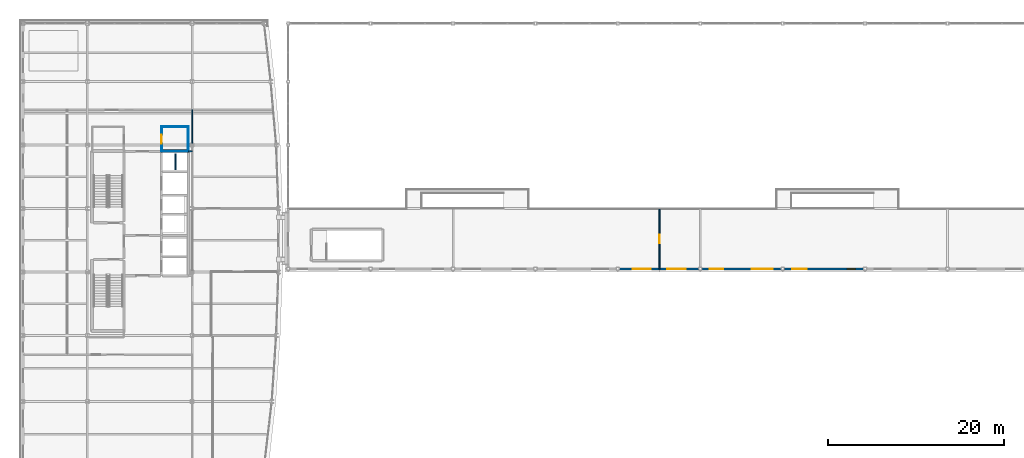
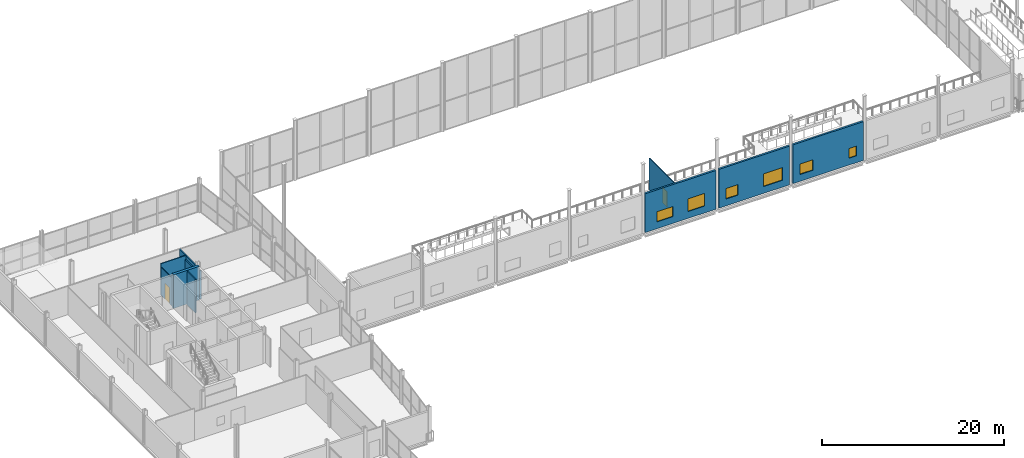
# One storey, part 67 of 77: 11 walls, 6 windows, 2 doors, 8 openings.
"""IFC4 building model written with IfcOpenShell, lengths in metres."""

import ifcopenshell
import ifcopenshell.guid

model = None  # the IFC model being written
_history = None  # IfcOwnerHistory: only IFC2X3 demands one
_inside = {}  # id of a spatial element -> (the spatial element, [elements in it])
_under = {}  # id of a project, library or spatial element -> (it, [spatial elements below it])
_declared = {}  # id of a project -> (the project, [libraries it declares])
_typed = {}  # id of a type object -> (the type object, [elements of that type])
_made_of = {}  # id of a material, layer set ... -> (it, [elements and type objects made of it])


def new_model(schema):
    """Start an empty IFC model of exactly this schema.

    Asked for "IFC4X3", IfcOpenShell would pick the latest addendum, in which some entities
    have other attributes; the version numbers below select the first issue.
    IFC2X3 requires an IfcOwnerHistory on every rooted entity: one is made here for all.
    """
    global model, _history
    if schema == "IFC4X3":
        model = ifcopenshell.file(schema_version=(4, 3, 0, 0))
    else:
        model = ifcopenshell.file(schema=schema)
    _inside.clear()
    _under.clear()
    _declared.clear()
    _typed.clear()
    _made_of.clear()
    _history = None
    if model.schema == "IFC2X3":
        org = make("IfcOrganization", Name="unknown")
        user = make(
            "IfcPersonAndOrganization",
            ThePerson=make("IfcPerson", FamilyName="unknown"),
            TheOrganization=org,
        )
        app = make(
            "IfcApplication",
            ApplicationDeveloper=org,
            Version="unknown",
            ApplicationFullName="unknown",
            ApplicationIdentifier="unknown",
        )
        _history = make(
            "IfcOwnerHistory",
            OwningUser=user,
            OwningApplication=app,
            ChangeAction="ADDED",
            CreationDate=0,
        )
    return model


def make(cls, **values):
    """One entity of the class cls with the attributes given. An attribute that is None is left unset."""
    return model.create_entity(
        cls, **{name: value for name, value in values.items() if value is not None}
    )


def rooted(cls, **values):
    """An entity with a GlobalId (a new one), such as an element, a storey or a relation."""
    return make(cls, GlobalId=ifcopenshell.guid.new(), OwnerHistory=_history, **values)


def si_unit(unit_type, name, prefix=None):
    """IfcSIUnit, for example si_unit("LENGTHUNIT", "METRE", prefix="MILLI")."""
    return make("IfcSIUnit", UnitType=unit_type, Prefix=prefix, Name=name)


def assignment(units):
    """IfcUnitAssignment: the units of a project."""
    return None if units is None else make("IfcUnitAssignment", Units=units)


def point(xyz):
    """IfcCartesianPoint."""
    return None if xyz is None else make("IfcCartesianPoint", Coordinates=xyz)


def direction(xyz):
    """IfcDirection."""
    return None if xyz is None else make("IfcDirection", DirectionRatios=xyz)


def frame(location, z_axis=None, x_axis=None):
    """IfcAxis2Placement3D, a coordinate frame: its origin and axes. An axis left out is left unset."""
    return make(
        "IfcAxis2Placement3D",
        Location=point(location),
        Axis=direction(z_axis),
        RefDirection=direction(x_axis),
    )


def frame_2d(location, x_axis=None):
    """IfcAxis2Placement2D, a coordinate frame in the plane: its origin and x axis."""
    return make(
        "IfcAxis2Placement2D", Location=point(location), RefDirection=direction(x_axis)
    )


def origin():
    """The frame at (0, 0, 0) with its axes left unset."""
    return frame((0.0, 0.0, 0.0))


def place(relative_to, where):
    """IfcLocalPlacement: puts the frame where relative to a parent placement (None: the world)."""
    return make(
        "IfcLocalPlacement", PlacementRelTo=relative_to, RelativePlacement=where
    )


def context(
    kind, dimensions, precision=None, world=None, true_north=None, identifier=None
):
    """IfcGeometricRepresentationContext, for example the 3D "Model" context."""
    return make(
        "IfcGeometricRepresentationContext",
        ContextIdentifier=identifier,
        ContextType=kind,
        CoordinateSpaceDimension=dimensions,
        Precision=precision,
        WorldCoordinateSystem=world,
        TrueNorth=true_north,
    )


def subcontext(parent, identifier, kind, view, scale=None):
    """IfcGeometricRepresentationSubContext, for example "Body" below "Model"."""
    return make(
        "IfcGeometricRepresentationSubContext",
        ContextIdentifier=identifier,
        ContextType=kind,
        ParentContext=parent,
        TargetScale=scale,
        TargetView=view,
    )


def project(units=None, contexts=None):
    """IfcProject with its units and contexts."""
    return rooted(
        "IfcProject",
        Name="project",
        RepresentationContexts=contexts,
        UnitsInContext=assignment(units),
    )


def spatial(cls, under=None, at=None, **own):
    """A site, building, storey or space (cls), placed at a placement, below another one or the project."""
    s = rooted(cls, ObjectPlacement=at, **own)
    if under is not None:
        _under.setdefault(under.id(), (under, []))[1].append(s)
    return s


def profile(cls, at=None, kind="AREA", **sizes):
    """A parametric profile (cls). Its sizes go by their IFC names, for example OverallWidth=200.0."""
    return make(cls, ProfileType=kind, Position=at, **sizes)


def rectangle(**sizes):
    """IfcRectangleProfileDef."""
    return profile("IfcRectangleProfileDef", **sizes)


def extrude(swept, where, along, depth):
    """IfcExtrudedAreaSolid: the profile swept, set in the frame where, extruded along a direction by depth."""
    return make(
        "IfcExtrudedAreaSolid",
        SweptArea=swept,
        Position=where,
        ExtrudedDirection=direction(along),
        Depth=depth,
    )


def shape(context_of_items, identifier, shape_type, items):
    """IfcShapeRepresentation: the items that make up one representation, for example the "Body"."""
    return make(
        "IfcShapeRepresentation",
        ContextOfItems=context_of_items,
        RepresentationIdentifier=identifier,
        RepresentationType=shape_type,
        Items=items,
    )


def material(Name=None, Category=None):
    """IfcMaterial."""
    return make("IfcMaterial", Name=Name, Category=Category)


def layer(
    of_material, thickness, ventilated=None, Name=None, Category=None, Priority=None
):
    """IfcMaterialLayer: one layer of a wall or slab, of a material (None: an air gap)."""
    return make(
        "IfcMaterialLayer",
        Material=of_material,
        LayerThickness=thickness,
        IsVentilated=ventilated,
        Name=Name,
        Category=Category,
        Priority=Priority,
    )


def layer_set(layers, Name=None):
    """IfcMaterialLayerSet."""
    return make("IfcMaterialLayerSet", MaterialLayers=layers, LayerSetName=Name)


def made_of(thing, what):
    """Note that an element or type object is made of a material, layer set ...; save() writes the relation."""
    if what is not None:
        _made_of.setdefault(what.id(), (what, []))[1].append(thing)
    return thing


def type_object(cls, material=None, **own):
    """A type object (cls), such as IfcWallType, which elements share."""
    return made_of(rooted(cls, **own), material)


def element(
    cls,
    number,
    at=None,
    inside=None,
    cuts=None,
    type_object=None,
    material=None,
    context=None,
    identifier="Body",
    shape_type=None,
    held_by="IfcProductDefinitionShape",
    body=None,
    shapes=None,
    **own,
):
    """One element of the class cls, such as IfcWall. Its Tag is "e" and its number.

    at: its placement. inside: the storey or other place that contains it. cuts: it is an
    opening in that element (IfcRelVoidsElement). A single representation is given by context,
    identifier, shape_type and body (its items); several are given by shapes. held_by: the class
    of the entity that holds the representations. save() writes the other relations.
    """
    e = rooted(cls, Tag="e%d" % number, ObjectPlacement=at, **own)
    if body is not None:
        shapes = [shape(context, identifier, shape_type, body)]
    if shapes is not None:
        e.Representation = make(held_by, Representations=shapes)
    if inside is not None:
        _inside.setdefault(inside.id(), (inside, []))[1].append(e)
    if cuts is not None:
        rooted(
            "IfcRelVoidsElement", RelatingBuildingElement=cuts, RelatedOpeningElement=e
        )
    if type_object is not None:
        _typed.setdefault(type_object.id(), (type_object, []))[1].append(e)
    return made_of(e, material)


def fill(opening, filler):
    """IfcRelFillsElement: the door or window that sits in an opening."""
    return rooted(
        "IfcRelFillsElement",
        RelatingOpeningElement=opening,
        RelatedBuildingElement=filler,
    )


def aggregate(whole, parts):
    """IfcRelAggregates: a whole, such as a stair, and the parts it consists of."""
    return rooted("IfcRelAggregates", RelatingObject=whole, RelatedObjects=parts)


def save(model, path):
    """Write the relations noted so far, then the file.

    IfcRelAggregates (storeys below a building ...), IfcRelContainedInSpatialStructure (elements
    in a storey), IfcRelDefinesByType, IfcRelAssociatesMaterial and IfcRelDeclares: one each for
    every whole, place, type object, material and project.
    """
    for whole, parts in _under.values():
        aggregate(whole, parts)
    for where, things in _inside.values():
        rooted(
            "IfcRelContainedInSpatialStructure",
            RelatedElements=things,
            RelatingStructure=where,
        )
    for kind, things in _typed.values():
        rooted("IfcRelDefinesByType", RelatedObjects=things, RelatingType=kind)
    for what, things in _made_of.values():
        rooted("IfcRelAssociatesMaterial", RelatedObjects=things, RelatingMaterial=what)
    for by, libraries in _declared.values():
        rooted("IfcRelDeclares", RelatingContext=by, RelatedDefinitions=libraries)
    model.write(path)


model = new_model("IFC4")

# Units and contexts
model_context = context("Model", 3, precision=1e-05, world=origin(), true_north=direction((0.0, 1.0)))
body_context = subcontext(model_context, "Body", "Model", "MODEL_VIEW")
ifc_project = project(units=[si_unit("LENGTHUNIT", "METRE"), si_unit("AREAUNIT", "SQUARE_METRE"), si_unit("VOLUMEUNIT", "CUBIC_METRE"), si_unit("PLANEANGLEUNIT", "RADIAN"), si_unit("MASSUNIT", "GRAM", prefix="KILO")], contexts=[model_context])

# Site, building, storey
site_placement = place(None, origin())
site = spatial("IfcSite", under=ifc_project, at=site_placement, CompositionType="ELEMENT")
building_placement = place(site_placement, origin())
building = spatial("IfcBuilding", under=site, at=building_placement, Name="Quillay Park Conservatory", CompositionType="ELEMENT")
storey_placement = place(building_placement, frame((0.0, 0.0, 5.39990234375)))
storey = spatial("IfcBuildingStorey", under=building, at=storey_placement, Name="L01", CompositionType="ELEMENT", Elevation=5.39990234375)

# Wall, opening, door
ifc_material_1 = material(Name="Steel-Stud Acoustic Gypsum Board Partition", Category="steel")
ifc_layer_1 = layer(ifc_material_1, 0.10009765625)
ifc_layer_set_1 = layer_set([ifc_layer_1], Name="ACOUSTIC GYPSUM PARTITION 100 (Steel-Stud Acoustic Gypsum Board Partition)")
wall_type_1 = type_object("IfcWallType", Name="ACOUSTIC GYPSUM PARTITION 100", PredefinedType="PARTITIONING", material=ifc_layer_set_1)
wall_1_placement = place(storey_placement, frame((16.280029296875, 98.919921875, 0.0), z_axis=(0.0, 0.0, 1.0), x_axis=(0.0, 1.0, 0.0)))
wall_1 = element("IfcWall", 1, at=wall_1_placement, inside=storey, type_object=wall_type_1, Name="L01 Washroom Door Wall", PredefinedType="PARTITIONING", context=body_context, shape_type="SweptSolid", body=[
    extrude(rectangle(XDim=2.68017578125, YDim=0.10009765625, at=frame_2d((1.340087890625, 0.0))), origin(), (0.0, 0.0, 1.0), 3.72119140625),
])
opening_1_placement = place(wall_1_placement, frame((0.840087890625, 0.0, 0.0)))
opening_1 = element("IfcOpeningElement", 2, at=opening_1_placement, cuts=wall_1, Name="Opening D-RM09", PredefinedType="OPENING", context=body_context, shape_type="SweptSolid", body=[
    extrude(rectangle(XDim=1.0, YDim=2.14990234375, at=frame_2d((0.5, 1.074951171875))), frame((0.0, 0.050048828125, 0.0), z_axis=(0.0, -1.0, 0.0), x_axis=(1.0, 0.0, 0.0)), (0.0, 0.0, 1.0), 0.10009765625),
])
ifc_material_2 = material(Name="Thermally Broken Anodised Aluminium 6063-T6", Category="aluminium")
door_type_1 = type_object("IfcDoorType", Name="SINGLE SWING DOOR 1000 X2150", OperationType="NOTDEFINED", PredefinedType="DOOR", material=ifc_material_2)
door_1_placement = place(opening_1_placement, origin())
door_1 = element("IfcDoor", 3, at=door_1_placement, inside=storey, type_object=door_type_1, Name="L01 Door to L01 Restroom and Washroom", OperationType="SINGLE_SWING_RIGHT", OverallHeight=2.14990234375, OverallWidth=1.0, PredefinedType="DOOR", context=body_context, shape_type="SweptSolid", body=[
    extrude(rectangle(XDim=1.0, YDim=2.14990234375, at=frame_2d((0.5, 1.074951171875))), frame((0.0, 0.02490234375, 0.0), z_axis=(0.0, -1.0, 0.0), x_axis=(1.0, 0.0, 0.0)), (0.0, 0.0, 1.0), 0.050048828125),
])
fill(opening_1, door_1)

# Walls
ifc_material_3 = material(Name="Steel-Stud Acoustic Gypsum Board Partition", Category="steel")
ifc_layer_2 = layer(ifc_material_3, 0.10498046875)
ifc_layer_set_2 = layer_set([ifc_layer_2], Name="ACOUSTIC GYPSUM PARTITION 105 (Steel-Stud Acoustic Gypsum Board Partition)")
wall_type_2 = type_object("IfcWallType", Name="ACOUSTIC GYPSUM PARTITION 105", PredefinedType="PARTITIONING", material=ifc_layer_set_2)
wall_2_placement = place(storey_placement, frame((19.3798828125, 101.659912109375, 0.0), z_axis=(0.0, 0.0, 1.0), x_axis=(-1.0, 0.0, 0.0)))
element("IfcWall", 4, at=wall_2_placement, inside=storey, type_object=wall_type_2, Name="L01 Washroom North Wall", PredefinedType="PARTITIONING", context=body_context, shape_type="SweptSolid", body=[
    extrude(rectangle(XDim=3.159912109375, YDim=0.10498046875, at=frame_2d((1.580078125, 0.0))), origin(), (0.0, 0.0, 1.0), 4.25),
])
ifc_material_4 = material(Name="Steel-Stud Acoustic Gypsum Board Partition", Category="steel")
ifc_layer_3 = layer(ifc_material_4, 0.110107421875)
ifc_layer_set_3 = layer_set([ifc_layer_3], Name="ACOUSTIC GYPSUM PARTITION 110 (Steel-Stud Acoustic Gypsum Board Partition)")
wall_type_3 = type_object("IfcWallType", Name="ACOUSTIC GYPSUM PARTITION 110", PredefinedType="PARTITIONING", material=ifc_layer_set_3)
wall_3_placement = place(storey_placement, frame((19.320068359375, 98.919921875, 0.0), z_axis=(0.0, 0.0, 1.0), x_axis=(0.0, 1.0, 0.0)))
element("IfcWall", 5, at=wall_3_placement, inside=storey, type_object=wall_type_3, Name="L01 Washroom East Wall", PredefinedType="PARTITIONING", context=body_context, shape_type="SweptSolid", body=[
    extrude(rectangle(XDim=2.739990234375, YDim=0.110107421875, at=frame_2d((1.3701171875, 0.0))), origin(), (0.0, 0.0, 1.0), 3.72119140625),
])

# Wall, opening, door
ifc_material_5 = material(Name="Steel-Stud Acoustic Gypsum Board Partition", Category="steel")
ifc_layer_4 = layer(ifc_material_5, 0.1201171875)
ifc_layer_set_4 = layer_set([ifc_layer_4], Name="ACOUSTIC GYPSUM PARTITION 120 (Steel-Stud Acoustic Gypsum Board Partition)")
wall_type_4 = type_object("IfcWallType", Name="ACOUSTIC GYPSUM PARTITION 120", PredefinedType="PARTITIONING", material=ifc_layer_set_4)
wall_4_placement = place(storey_placement, frame((72.800048828125, 85.550048828125, 0.0), z_axis=(0.0, 0.0, 1.0), x_axis=(0.0, 1.0, 0.0)))
wall_4 = element("IfcWall", 6, at=wall_4_placement, inside=storey, type_object=wall_type_4, Name="L01 Canopy Walk Zone Divider", PredefinedType="PARTITIONING", context=body_context, shape_type="SweptSolid", body=[
    extrude(rectangle(XDim=6.75, YDim=0.1201171875, at=frame_2d((3.375, 0.0))), origin(), (0.0, 0.0, 1.0), 4.25),
])
opening_2_placement = place(wall_4_placement, frame((2.925048828125, 0.0, 0.0)))
opening_2 = element("IfcOpeningElement", 7, at=opening_2_placement, cuts=wall_4, Name="Opening D-RM02", PredefinedType="OPENING", context=body_context, shape_type="SweptSolid", body=[
    extrude(rectangle(XDim=0.949951171875, YDim=2.10009765625, at=frame_2d((0.47509765625, 1.050048828125))), frame((0.0, 0.06005859375, 0.0), z_axis=(0.0, -1.0, 0.0), x_axis=(1.0, 0.0, 0.0)), (0.0, 0.0, 1.0), 0.1201171875),
])
ifc_material_6 = material(Name="Thermally Broken Anodised Aluminium 6063-T6", Category="aluminium")
door_type_2 = type_object("IfcDoorType", Name="SINGLE SWING DOOR 950 X2100", OperationType="NOTDEFINED", PredefinedType="DOOR", material=ifc_material_6)
door_2_placement = place(opening_2_placement, origin())
door_2 = element("IfcDoor", 8, at=door_2_placement, inside=storey, type_object=door_type_2, Name="L01 Door to Elevated Andean Canopy Conservatory Gallery", OperationType="SINGLE_SWING_RIGHT", OverallHeight=2.10009765625, OverallWidth=0.949951171875, PredefinedType="DOOR", context=body_context, shape_type="SweptSolid", body=[
    extrude(rectangle(XDim=0.949951171875, YDim=2.10009765625, at=frame_2d((0.47509765625, 1.050048828125))), frame((0.0, 0.02490234375, 0.0), z_axis=(0.0, -1.0, 0.0), x_axis=(1.0, 0.0, 0.0)), (0.0, 0.0, 1.0), 0.050048828125),
])
fill(opening_2, door_2)

# Walls
ifc_material_7 = material(Name="Steel-Stud Acoustic Gypsum Board Partition", Category="steel")
ifc_layer_5 = layer(ifc_material_7, 0.125)
ifc_layer_set_5 = layer_set([ifc_layer_5], Name="ACOUSTIC GYPSUM PARTITION 125 (Steel-Stud Acoustic Gypsum Board Partition)")
wall_type_5 = type_object("IfcWallType", Name="ACOUSTIC GYPSUM PARTITION 125", PredefinedType="PARTITIONING", material=ifc_layer_set_5)
wall_5_placement = place(storey_placement, frame((19.75, 103.60009765625, 0.0), z_axis=(0.0, 0.0, 1.0), x_axis=(0.0, -1.0, 0.0)))
element("IfcWall", 9, at=wall_5_placement, inside=storey, type_object=wall_type_5, Name="L01 Mycorrhizal Culture Research Laboratory West Wall N", PredefinedType="PARTITIONING", context=body_context, shape_type="SweptSolid", body=[
    extrude(rectangle(XDim=3.8056640625, YDim=0.125, at=frame_2d((1.90283203125, 0.0))), origin(), (0.0, 0.0, 1.0), 3.797119140625),
])
ifc_material_8 = material(Name="Steel-Stud Acoustic Gypsum Board Partition", Category="steel")
ifc_layer_6 = layer(ifc_material_8, 0.14990234375)
ifc_layer_set_6 = layer_set([ifc_layer_6], Name="ACOUSTIC GYPSUM PARTITION 150 (Steel-Stud Acoustic Gypsum Board Partition)")
wall_type_6 = type_object("IfcWallType", Name="ACOUSTIC GYPSUM PARTITION 150", PredefinedType="PARTITIONING", material=ifc_layer_set_6)
wall_6_placement = place(storey_placement, frame((19.75, 98.89990234375, 0.0), z_axis=(0.0, 0.0, 1.0), x_axis=(-1.0, 0.0, 0.0)))
element("IfcWall", 10, at=wall_6_placement, inside=storey, type_object=wall_type_6, Name="L01 Core North-East Closure", PredefinedType="PARTITIONING", context=body_context, shape_type="SweptSolid", body=[
    extrude(rectangle(XDim=0.429931640625, YDim=0.14990234375, at=frame_2d((0.21484375, 0.0))), origin(), (0.0, 0.0, 1.0), 3.797119140625),
])
ifc_material_9 = material(Name="Concrete C40/50 (NCh170 Concrete C40/50)", Category="concrete")
ifc_layer_7 = layer(ifc_material_9, 0.35009765625)
ifc_layer_set_7 = layer_set([ifc_layer_7], Name="CORE SHEAR WALL 350 (Concrete C40/50 (NCh170 Concrete C40/50))")
wall_type_7 = type_object("IfcWallType", Name="CORE SHEAR WALL 350", PredefinedType="SHEAR", material=ifc_layer_set_7)
wall_7_placement = place(storey_placement, frame((16.14990234375, 98.925048828125, 0.0), z_axis=(0.0, 0.0, 1.0), x_axis=(1.0, 0.0, 0.0)))
element("IfcWall", 11, at=wall_7_placement, inside=storey, type_object=wall_type_7, Name="L01 Core Shear Wall WL-TCN-E-L01", PredefinedType="SHEAR", context=body_context, shape_type="SweptSolid", body=[
    extrude(rectangle(XDim=3.300048828125, YDim=0.35009765625, at=frame_2d((1.64990234375, 0.0))), origin(), (0.0, 0.0, 1.0), 4.5),
])

# Wall, openings, windows
ifc_material_10 = material(Name="Glass-Fibre Reinforced Concrete (GRC) Cladding", Category="concrete")
ifc_layer_8 = layer(ifc_material_10, 0.239990234375)
ifc_layer_set_8 = layer_set([ifc_layer_8], Name="EXTERIOR SOLID WALL 240 (Glass-Fibre Reinforced Concrete (GRC) Cladding)")
wall_type_8 = type_object("IfcWallType", Name="EXTERIOR SOLID WALL 240", PredefinedType="SOLIDWALL", material=ifc_layer_set_8)
wall_8_placement = place(storey_placement, frame((77.2265625, 85.550048828125, 0.0), z_axis=(0.0, 0.0, 1.0), x_axis=(-1.0, 0.0, 0.0)))
wall_8 = element("IfcWall", 12, at=wall_8_placement, inside=storey, type_object=wall_type_8, Name="L01 External Wall WL-EXT-V1S-L01-4", PredefinedType="SOLIDWALL", context=body_context, shape_type="SweptSolid", body=[
    extrude(rectangle(XDim=8.953125, YDim=0.239990234375, at=frame_2d((4.4765625, 0.0))), origin(), (0.0, 0.0, 1.0), 5.2001953125),
])
opening_3_placement = place(wall_8_placement, frame((1.418212890625, 0.0, 0.919921875)))
opening_3 = element("IfcOpeningElement", 13, at=opening_3_placement, cuts=wall_8, Name="Opening W-15", PredefinedType="OPENING", context=body_context, shape_type="SweptSolid", body=[
    extrude(rectangle(XDim=2.10009765625, YDim=1.699951171875, at=frame_2d((1.050048828125, 0.85009765625))), frame((0.0, 0.1201171875, 0.0), z_axis=(0.0, -1.0, 0.0), x_axis=(1.0, 0.0, 0.0)), (0.0, 0.0, 1.0), 0.239990234375),
])
opening_4_placement = place(wall_8_placement, frame((5.434814453125, 0.0, 0.919921875)))
opening_4 = element("IfcOpeningElement", 14, at=opening_4_placement, cuts=wall_8, Name="Opening W-20", PredefinedType="OPENING", context=body_context, shape_type="SweptSolid", body=[
    extrude(rectangle(XDim=2.0, YDim=1.35009765625, at=frame_2d((1.0, 0.675048828125))), frame((0.0, 0.1201171875, 0.0), z_axis=(0.0, -1.0, 0.0), x_axis=(1.0, 0.0, 0.0)), (0.0, 0.0, 1.0), 0.239990234375),
])
ifc_material_11 = material(Name="Low-E Double Glazing (Laminated Tempered)", Category="glass")
window_type_1 = type_object("IfcWindowType", Name="FIXED CASEMENT WINDOW 2000 X1350", PartitioningType="DOUBLE_PANEL_VERTICAL", PredefinedType="WINDOW", material=ifc_material_11)
window_1_placement = place(opening_4_placement, origin())
window_1 = element("IfcWindow", 15, at=window_1_placement, inside=storey, type_object=window_type_1, Name="L01 Exterior Window 0362", OverallHeight=1.35009765625, OverallWidth=2.0, PartitioningType="DOUBLE_PANEL_VERTICAL", PredefinedType="WINDOW", context=body_context, shape_type="SweptSolid", body=[
    extrude(rectangle(XDim=2.0, YDim=1.35009765625, at=frame_2d((1.0, 0.675048828125))), frame((0.0, 0.030029296875, 0.0), z_axis=(0.0, -1.0, 0.0), x_axis=(1.0, 0.0, 0.0)), (0.0, 0.0, 1.0), 0.06005859375),
])
fill(opening_4, window_1)
ifc_material_12 = material(Name="Low-E Double Glazing (Laminated Tempered)", Category="glass")
window_type_2 = type_object("IfcWindowType", Name="FIXED CASEMENT WINDOW 2100 X1700", PartitioningType="DOUBLE_PANEL_VERTICAL", PredefinedType="WINDOW", material=ifc_material_12)
window_2_placement = place(opening_3_placement, origin())
window_2 = element("IfcWindow", 16, at=window_2_placement, inside=storey, type_object=window_type_2, Name="L01 Exterior Window 0361", OverallHeight=1.699951171875, OverallWidth=2.10009765625, PartitioningType="DOUBLE_PANEL_VERTICAL", PredefinedType="WINDOW", context=body_context, shape_type="SweptSolid", body=[
    extrude(rectangle(XDim=2.10009765625, YDim=1.699951171875, at=frame_2d((1.050048828125, 0.85009765625))), frame((0.0, 0.030029296875, 0.0), z_axis=(0.0, -1.0, 0.0), x_axis=(1.0, 0.0, 0.0)), (0.0, 0.0, 1.0), 0.06005859375),
])
fill(opening_3, window_2)

wall_9_placement = place(storey_placement, frame((86.58203125, 85.550048828125, 0.0), z_axis=(0.0, 0.0, 1.0), x_axis=(-1.0, 0.0, 0.0)))
wall_9 = element("IfcWall", 17, at=wall_9_placement, inside=storey, type_object=wall_type_8, Name="L01 External Wall WL-EXT-V1S-L01-5", PredefinedType="SOLIDWALL", context=body_context, shape_type="SweptSolid", body=[
    extrude(rectangle(XDim=8.953125, YDim=0.239990234375, at=frame_2d((4.4765625, 0.0))), origin(), (0.0, 0.0, 1.0), 5.2001953125),
])
opening_5_placement = place(wall_9_placement, frame((0.898681640625, 0.0, 0.919921875)))
opening_5 = element("IfcOpeningElement", 18, at=opening_5_placement, cuts=wall_9, Name="Opening W-16", PredefinedType="OPENING", context=body_context, shape_type="SweptSolid", body=[
    extrude(rectangle(XDim=2.39990234375, YDim=1.699951171875, at=frame_2d((1.199951171875, 0.85009765625))), frame((0.0, 0.1201171875, 0.0), z_axis=(0.0, -1.0, 0.0), x_axis=(1.0, 0.0, 0.0)), (0.0, 0.0, 1.0), 0.239990234375),
])
opening_6_placement = place(wall_9_placement, frame((6.55419921875, 0.0, 0.919921875)))
opening_6 = element("IfcOpeningElement", 19, at=opening_6_placement, cuts=wall_9, Name="Opening W-03", PredefinedType="OPENING", context=body_context, shape_type="SweptSolid", body=[
    extrude(rectangle(XDim=1.5, YDim=1.39990234375, at=frame_2d((0.75, 0.699951171875))), frame((0.0, 0.1201171875, 0.0), z_axis=(0.0, -1.0, 0.0), x_axis=(1.0, 0.0, 0.0)), (0.0, 0.0, 1.0), 0.239990234375),
])
ifc_material_13 = material(Name="Low-E Double Glazing (Laminated Tempered)", Category="glass")
window_type_3 = type_object("IfcWindowType", Name="FIXED CASEMENT WINDOW 1500 X1400", PartitioningType="SINGLE_PANEL", PredefinedType="WINDOW", material=ifc_material_13)
window_3_placement = place(opening_6_placement, origin())
window_3 = element("IfcWindow", 20, at=window_3_placement, inside=storey, type_object=window_type_3, Name="L01 Exterior Window 0364", OverallHeight=1.39990234375, OverallWidth=1.5, PartitioningType="SINGLE_PANEL", PredefinedType="WINDOW", context=body_context, shape_type="SweptSolid", body=[
    extrude(rectangle(XDim=1.5, YDim=1.39990234375, at=frame_2d((0.75, 0.699951171875))), frame((0.0, 0.030029296875, 0.0), z_axis=(0.0, -1.0, 0.0), x_axis=(1.0, 0.0, 0.0)), (0.0, 0.0, 1.0), 0.06005859375),
])
fill(opening_6, window_3)
ifc_material_14 = material(Name="Low-E Double Glazing (Laminated Tempered)", Category="glass")
window_type_4 = type_object("IfcWindowType", Name="FIXED CASEMENT WINDOW 2400 X1700", PartitioningType="DOUBLE_PANEL_VERTICAL", PredefinedType="WINDOW", material=ifc_material_14)
window_4_placement = place(opening_5_placement, origin())
window_4 = element("IfcWindow", 21, at=window_4_placement, inside=storey, type_object=window_type_4, Name="L01 Exterior Window 0363", OverallHeight=1.699951171875, OverallWidth=2.39990234375, PartitioningType="DOUBLE_PANEL_VERTICAL", PredefinedType="WINDOW", context=body_context, shape_type="SweptSolid", body=[
    extrude(rectangle(XDim=2.39990234375, YDim=1.699951171875, at=frame_2d((1.199951171875, 0.85009765625))), frame((0.0, 0.030029296875, 0.0), z_axis=(0.0, -1.0, 0.0), x_axis=(1.0, 0.0, 0.0)), (0.0, 0.0, 1.0), 0.06005859375),
])
fill(opening_5, window_4)

wall_10_placement = place(storey_placement, frame((95.937744140625, 85.550048828125, 0.0), z_axis=(0.0, 0.0, 1.0), x_axis=(-1.0, 0.0, 0.0)))
wall_10 = element("IfcWall", 22, at=wall_10_placement, inside=storey, type_object=wall_type_8, Name="L01 External Wall WL-EXT-V1S-L01-6", PredefinedType="SOLIDWALL", context=body_context, shape_type="SweptSolid", body=[
    extrude(rectangle(XDim=8.953125, YDim=0.239990234375, at=frame_2d((4.4765625, 0.0))), origin(), (0.0, 0.0, 1.0), 5.2001953125),
])
opening_7_placement = place(wall_10_placement, frame((0.898681640625, 0.0, 0.919921875)))
opening_7 = element("IfcOpeningElement", 23, at=opening_7_placement, cuts=wall_10, Name="Opening W-17", PredefinedType="OPENING", context=body_context, shape_type="SweptSolid", body=[
    extrude(rectangle(XDim=0.89990234375, YDim=1.300048828125, at=frame_2d((0.449951171875, 0.64990234375))), frame((0.0, 0.1201171875, 0.0), z_axis=(0.0, -1.0, 0.0), x_axis=(1.0, 0.0, 0.0)), (0.0, 0.0, 1.0), 0.239990234375),
])
opening_8_placement = place(wall_10_placement, frame((6.404296875, 0.0, 0.919921875)))
opening_8 = element("IfcOpeningElement", 24, at=opening_8_placement, cuts=wall_10, Name="Opening W-04", PredefinedType="OPENING", context=body_context, shape_type="SweptSolid", body=[
    extrude(rectangle(XDim=1.64990234375, YDim=1.39990234375, at=frame_2d((0.824951171875, 0.699951171875))), frame((0.0, 0.1201171875, 0.0), z_axis=(0.0, -1.0, 0.0), x_axis=(1.0, 0.0, 0.0)), (0.0, 0.0, 1.0), 0.239990234375),
])
ifc_material_15 = material(Name="Low-E Double Glazing (Laminated Tempered)", Category="glass")
window_type_5 = type_object("IfcWindowType", Name="FIXED CASEMENT WINDOW 1650 X1400", PartitioningType="DOUBLE_PANEL_VERTICAL", PredefinedType="WINDOW", material=ifc_material_15)
window_5_placement = place(opening_8_placement, origin())
window_5 = element("IfcWindow", 25, at=window_5_placement, inside=storey, type_object=window_type_5, Name="L01 Exterior Window 0366", OverallHeight=1.39990234375, OverallWidth=1.64990234375, PartitioningType="DOUBLE_PANEL_VERTICAL", PredefinedType="WINDOW", context=body_context, shape_type="SweptSolid", body=[
    extrude(rectangle(XDim=1.64990234375, YDim=1.39990234375, at=frame_2d((0.824951171875, 0.699951171875))), frame((0.0, 0.030029296875, 0.0), z_axis=(0.0, -1.0, 0.0), x_axis=(1.0, 0.0, 0.0)), (0.0, 0.0, 1.0), 0.06005859375),
])
fill(opening_8, window_5)
ifc_material_16 = material(Name="Low-E Double Glazing (Laminated Tempered)", Category="glass")
window_type_6 = type_object("IfcWindowType", Name="FIXED CASEMENT WINDOW 900 X1300", PartitioningType="SINGLE_PANEL", PredefinedType="WINDOW", material=ifc_material_16)
window_6_placement = place(opening_7_placement, origin())
window_6 = element("IfcWindow", 26, at=window_6_placement, inside=storey, type_object=window_type_6, Name="L01 Exterior Window 0365", OverallHeight=1.300048828125, OverallWidth=0.89990234375, PartitioningType="SINGLE_PANEL", PredefinedType="WINDOW", context=body_context, shape_type="SweptSolid", body=[
    extrude(rectangle(XDim=0.89990234375, YDim=1.300048828125, at=frame_2d((0.449951171875, 0.64990234375))), frame((0.0, 0.030029296875, 0.0), z_axis=(0.0, -1.0, 0.0), x_axis=(1.0, 0.0, 0.0)), (0.0, 0.0, 1.0), 0.06005859375),
])
fill(opening_7, window_6)

# Wall
ifc_material_17 = material(Name="Steel-Stud Acoustic Gypsum Board Partition", Category="steel")
ifc_layer_9 = layer(ifc_material_17, 0.155029296875)
ifc_layer_set_9 = layer_set([ifc_layer_9], Name="PLUMBING SHAFT WALL 155 (Steel-Stud Acoustic Gypsum Board Partition)")
wall_type_9 = type_object("IfcWallType", Name="PLUMBING SHAFT WALL 155", PredefinedType="PLUMBINGWALL", material=ifc_layer_set_9)
wall_11_placement = place(storey_placement, frame((17.85009765625, 96.800048828125, 0.0), z_axis=(0.0, 0.0, 1.0), x_axis=(0.0, 1.0, 0.0)))
element("IfcWall", 27, at=wall_11_placement, inside=storey, type_object=wall_type_9, Name="L01 Plumbing Riser Wall", PredefinedType="PLUMBINGWALL", context=body_context, shape_type="SweptSolid", body=[
    extrude(rectangle(XDim=1.800048828125, YDim=0.155029296875, at=frame_2d((0.89990234375, 0.0))), origin(), (0.0, 0.0, 1.0), 4.5),
])

save(model, "model.ifc")
